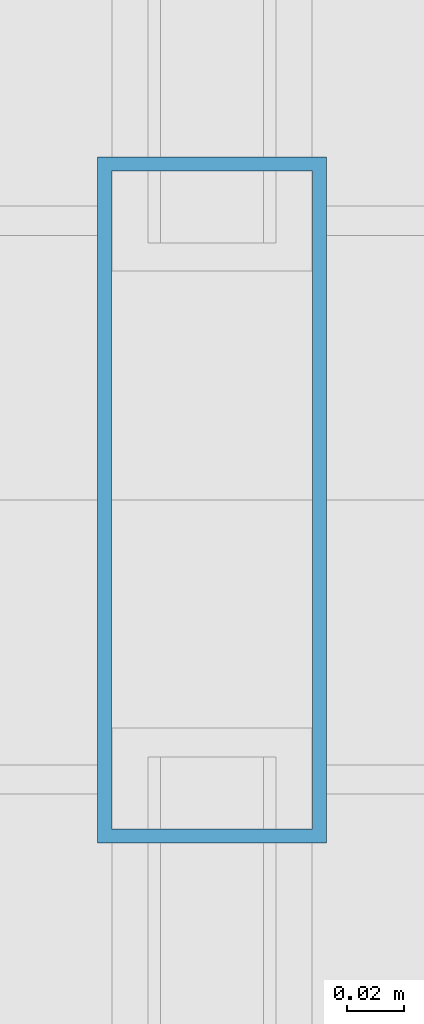
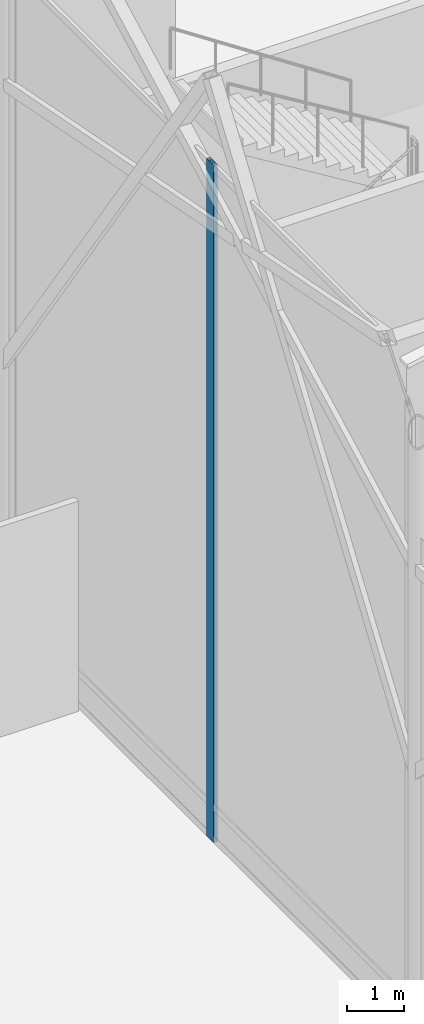
# One storey, part 69 of 220: 1 member, 1 element without a shape of its own.
"""IFC4 building model written with IfcOpenShell, lengths in metres."""

from ifc_helpers import new_model, si_unit, direction, frame, origin, origin_2d, place, context, subcontext, project, spatial, hollow_rectangle, extrude, material, material_profile, profile_set, type_object, element, aggregate, save


model = new_model("IFC4")

# Units and contexts
model_context = context("Model", 3, precision=1e-05, world=origin(), true_north=direction((0.0, 1.0)))
body_context = subcontext(model_context, "Body", "Model", "MODEL_VIEW")
ifc_project = project(units=[si_unit("LENGTHUNIT", "METRE"), si_unit("AREAUNIT", "SQUARE_METRE"), si_unit("VOLUMEUNIT", "CUBIC_METRE"), si_unit("PLANEANGLEUNIT", "RADIAN"), si_unit("MASSUNIT", "GRAM", prefix="KILO")], contexts=[model_context])

# Site, building, storey
site_placement = place(None, origin())
site = spatial("IfcSite", under=ifc_project, at=site_placement, CompositionType="ELEMENT")
building_placement = place(site_placement, origin())
building = spatial("IfcBuilding", under=site, at=building_placement, Name="Cendralis Lancet Convention Centre", CompositionType="ELEMENT")
storey_placement = place(building_placement, frame((0.0, 0.0, 5.39990234375)))
storey = spatial("IfcBuildingStorey", under=building, at=storey_placement, Name="L01", CompositionType="ELEMENT", Elevation=5.39990234375)

# Curtain wall, member
ifc_material = material(Name="Anodised bronze architectural aluminium", Category="aluminium")
curtain_wall_type = type_object("IfcCurtainWallType", Name="ARC-CW-GB02", PredefinedType="USERDEFINED", material=ifc_material)
curtain_wall_placement = place(storey_placement, origin())
curtain_wall = element("IfcCurtainWall", 1, at=curtain_wall_placement, inside=storey, type_object=curtain_wall_type, Name="L01 Curtain Wall CW-GB2 #107", ObjectType="CURTAIN WALL", PredefinedType="USERDEFINED")
ifc_material_profile = material_profile(ifc_material, hollow_rectangle(XDim=0.080078125, YDim=0.239990234375, WallThickness=0.0048828125, at=origin_2d()), Name="AL-MULL 80x240x5.0")
ifc_profile_set = profile_set([ifc_material_profile], Name="Anodised bronze architectural aluminium")
member_type = type_object("IfcMemberType", Name="ARC-CW-ML03", PredefinedType="MULLION", material=ifc_profile_set)
member_placement = place(storey_placement, frame((122.39990234375, 86.39990234375, 0.0), z_axis=(0.0, 0.0, 1.0), x_axis=(1.0, 0.0, 0.0)))
member = element("IfcMember", 2, at=member_placement, type_object=member_type, Name="Mullion CW2-CW-GB2-L01-107-M1", PredefinedType="MULLION", context=body_context, shape_type="SweptSolid", body=[
    extrude(hollow_rectangle(XDim=0.080078125, YDim=0.239990234375, WallThickness=0.0048828125, at=origin_2d()), origin(), (0.0, 0.0, 1.0), 14.4560546875),
])
aggregate(curtain_wall, [member])

save(model, "model.ifc")
